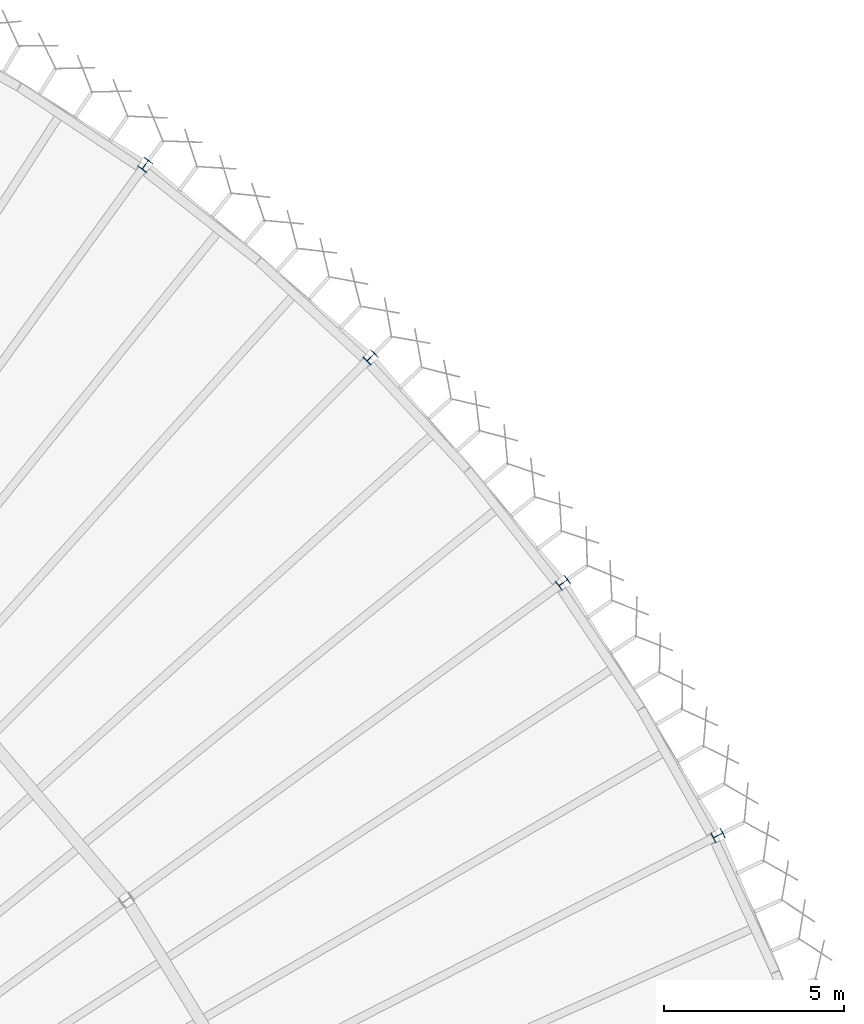
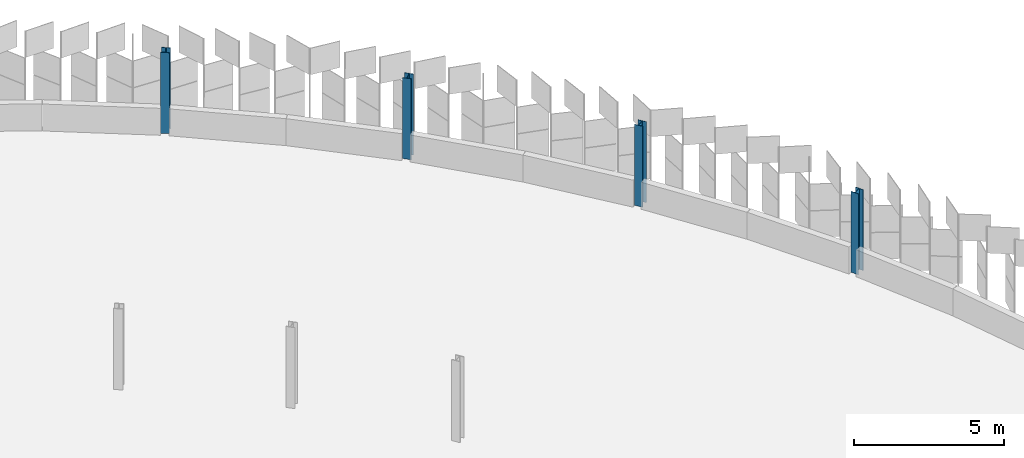
# One storey, part 23 of 198: 4 columns.
"""IFC4 building model written with IfcOpenShell, lengths in metres."""

from ifc_helpers import new_model, si_unit, direction, frame, origin, origin_2d, place, context, subcontext, project, spatial, i_section, extrude, material, material_profile, profile_set, type_object, element, save


model = new_model("IFC4")

# Units and contexts
model_context = context("Model", 3, precision=1e-05, world=origin(), true_north=direction((0.0, 1.0)))
body_context = subcontext(model_context, "Body", "Model", "MODEL_VIEW")
ifc_project = project(units=[si_unit("LENGTHUNIT", "METRE"), si_unit("AREAUNIT", "SQUARE_METRE"), si_unit("VOLUMEUNIT", "CUBIC_METRE"), si_unit("PLANEANGLEUNIT", "RADIAN"), si_unit("MASSUNIT", "GRAM", prefix="KILO")], contexts=[model_context])

# Site, building, storey
site_placement = place(None, origin())
site = spatial("IfcSite", under=ifc_project, at=site_placement, CompositionType="ELEMENT")
building_placement = place(site_placement, origin())
building = spatial("IfcBuilding", under=site, at=building_placement, Name="Parallax Yard Mobility Hub", CompositionType="ELEMENT")
storey_placement = place(building_placement, frame((0.0, 0.0, 6.60009765625)))
storey = spatial("IfcBuildingStorey", under=building, at=storey_placement, Name="L02", CompositionType="ELEMENT", Elevation=6.60009765625)

# Columns
ifc_material = material(Name="Steel ASTM A992", Category="steel")
ifc_material_profile = material_profile(ifc_material, i_section(OverallWidth=0.304931640625, OverallDepth=0.306884765625, WebThickness=0.010009765625, FlangeThickness=0.015380859375, FilletRadius=0.01513671875, at=origin_2d()), Name="W310x97")
ifc_profile_set = profile_set([ifc_material_profile], Name="Steel ASTM A992")
column_type = type_object("IfcColumnType", Name="W310x97 column", PredefinedType="COLUMN", material=ifc_profile_set)
for number, where, z_axis, x_axis, name in (
    (1, (203.358642578125, 132.473388671875, 0.0), (0.0, 0.0, 1.0), (-0.809016994375, 0.587785252292, 0.0), "Column C1 level L02 at RC/R4 of ramped parking decks"),
    (2, (209.623046875, 127.123046875, 0.0), (0.0, 0.0, 1.0), (-0.707106781187, 0.707106781187, 0.0), "Column C1 level L02 at RC/R5 of ramped parking decks"),
    (3, (214.973388671875, 120.858642578125, 0.0), (0.0, 0.0, 1.0), (-0.587785252292, 0.809016994375, 0.0), "Column C1 level L02 at RC/R6 of ramped parking decks"),
    (4, (219.27783203125, 113.83447265625, 0.0), (0.0, 0.0, 1.0), (-0.45399049974, 0.891006524188, 0.0), "Column C1 level L02 at RC/R7 of ramped parking decks"),
):
    element("IfcColumn", number, at=place(storey_placement, frame(where, z_axis=z_axis, x_axis=x_axis)), inside=storey, type_object=column_type, Name=name, PredefinedType="COLUMN", context=body_context, shape_type="SweptSolid", body=[
        extrude(i_section(OverallWidth=0.304931640625, OverallDepth=0.306884765625, WebThickness=0.010009765625, FlangeThickness=0.015380859375, FilletRadius=0.01513671875, at=origin_2d()), origin(), (0.0, 0.0, 1.0), 3.2998046875),
    ])

save(model, "model.ifc")
